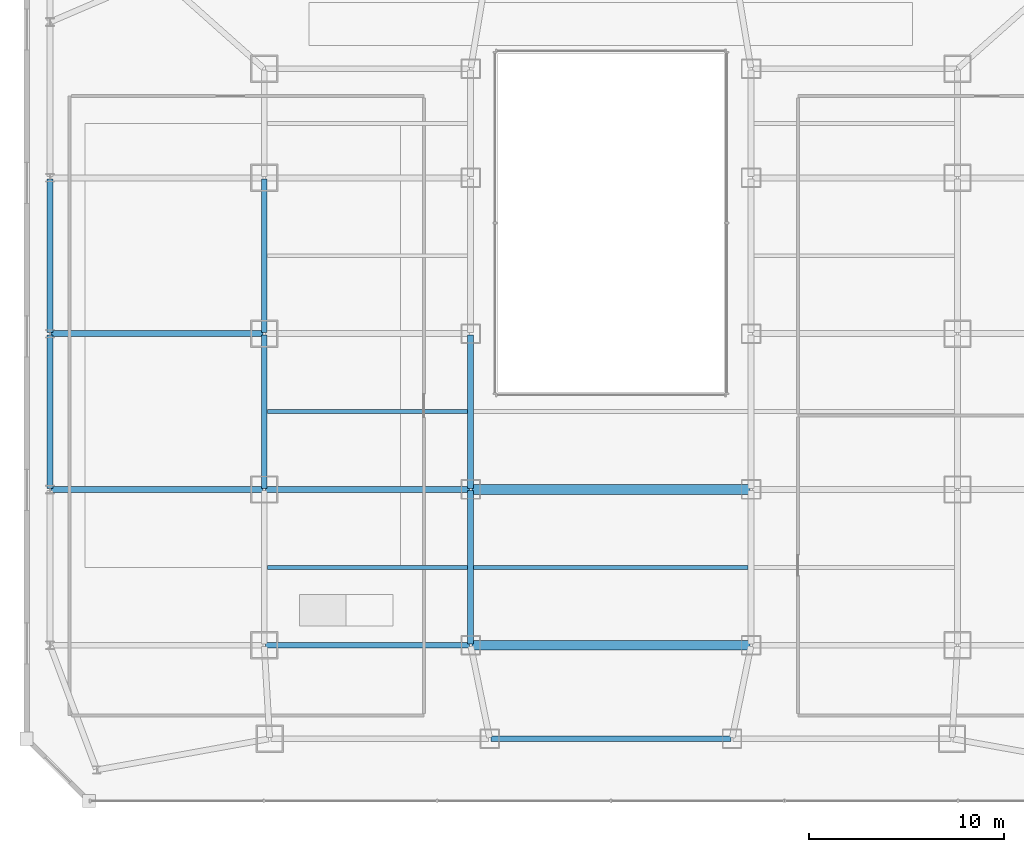
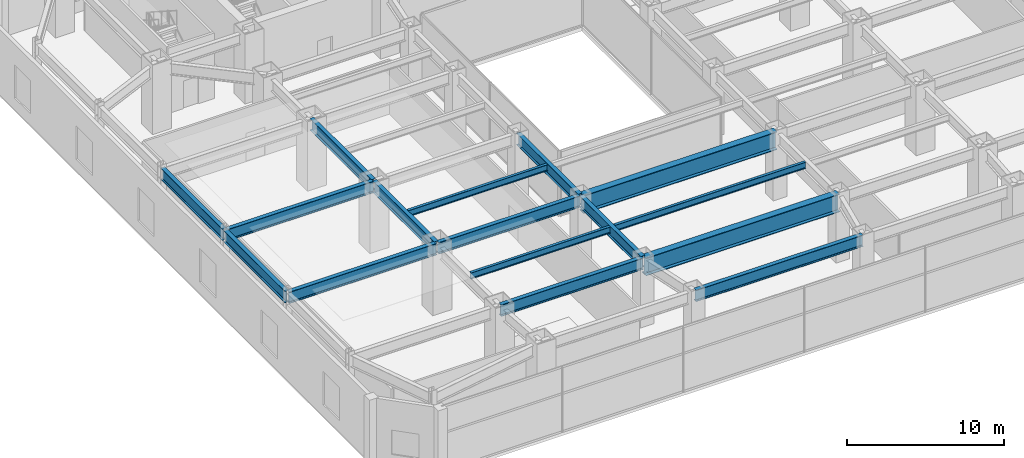
# One storey, part 11 of 51: 16 beams.
"""IFC4 building model written with IfcOpenShell, lengths in metres."""

from ifc_helpers import new_model, si_unit, direction, frame, origin, origin_2d, place, context, subcontext, project, spatial, i_section, extrude, material, material_profile, profile_set, type_object, element, save


model = new_model("IFC4")

# Units and contexts
model_context = context("Model", 3, precision=1e-05, world=origin(), true_north=direction((0.0, 1.0)))
body_context = subcontext(model_context, "Body", "Model", "MODEL_VIEW")
ifc_project = project(units=[si_unit("LENGTHUNIT", "METRE"), si_unit("AREAUNIT", "SQUARE_METRE"), si_unit("VOLUMEUNIT", "CUBIC_METRE"), si_unit("PLANEANGLEUNIT", "RADIAN"), si_unit("MASSUNIT", "GRAM", prefix="KILO")], contexts=[model_context])

# Site, building, storey
site_placement = place(None, origin())
site = spatial("IfcSite", under=ifc_project, at=site_placement, CompositionType="ELEMENT")
building_placement = place(site_placement, origin())
building = spatial("IfcBuilding", under=site, at=building_placement, Name="Saevonmaru Cultural Tower", CompositionType="ELEMENT")
storey_placement = place(building_placement, frame((0.0, 0.0, 6.0)))
storey = spatial("IfcBuildingStorey", under=building, at=storey_placement, Name="L01", CompositionType="ELEMENT", Elevation=6.0)

# Beams
ifc_material_1 = material(Name="Steel SM420", Category="steel")
ifc_material_profile_1 = material_profile(ifc_material_1, i_section(OverallWidth=0.300048828125, OverallDepth=0.89990234375, WebThickness=0.01611328125, FlangeThickness=0.028076171875, FilletRadius=0.028076171875, at=origin_2d()), Name="H-900x300x16x28")
ifc_profile_set_1 = profile_set([ifc_material_profile_1], Name="Steel SM420")
beam_type_1 = type_object("IfcBeamType", Name="BM-G-H900", PredefinedType="BEAM", material=ifc_profile_set_1)
for number, where, z_axis, x_axis, name in (
    (1, (12.199951171875, 16.06005859375, 4.64990234375), (0.0, 1.0, 0.0), (-1.0, 0.0, 0.0), "L01 Podium Girder NS1-3"),
    (2, (12.199951171875, 24.06005859375, 4.64990234375), (0.0, 1.0, 0.0), (-1.0, 0.0, 0.0), "L01 Podium Girder NS1-4"),
    (3, (22.800048828125, 8.06005859375, 4.64990234375), (0.0, 1.0, 0.0), (-1.0, 0.0, 0.0), "L01 Podium Girder NS2-2"),
    (4, (22.800048828125, 16.06005859375, 4.64990234375), (0.0, 1.0, 0.0), (-1.0, 0.0, 0.0), "L01 Podium Girder NS2-3"),
):
    element("IfcBeam", number, at=place(storey_placement, frame(where, z_axis=z_axis, x_axis=x_axis)), inside=storey, type_object=beam_type_1, Name=name, PredefinedType="BEAM", context=body_context, shape_type="SweptSolid", body=[
        extrude(i_section(OverallWidth=0.300048828125, OverallDepth=0.89990234375, WebThickness=0.01611328125, FlangeThickness=0.028076171875, FilletRadius=0.028076171875, at=origin_2d()), origin(), (0.0, 0.0, 1.0), 7.8798828125),
    ])
beam_1_placement = place(storey_placement, frame((23.840087890625, 3.199951171875, 4.64990234375), z_axis=(1.0, 0.0, 0.0), x_axis=(0.0, 1.0, 0.0)))
element("IfcBeam", 5, at=beam_1_placement, inside=storey, type_object=beam_type_1, Name="BM-POD-EW-C-0-L01", PredefinedType="BEAM", context=body_context, shape_type="SweptSolid", body=[
    extrude(i_section(OverallWidth=0.300048828125, OverallDepth=0.89990234375, WebThickness=0.01611328125, FlangeThickness=0.028076171875, FilletRadius=0.028076171875, at=origin_2d()), origin(), (0.0, 0.0, 1.0), 12.31982421875),
])
for number, where, z_axis, x_axis, name in (
    (6, (12.260009765625, 8.0, 4.64990234375), (1.0, 0.0, 0.0), (0.0, 1.0, 0.0), "L01 Gallery Girder W-1"),
    (7, (12.260009765625, 16.0, 4.64990234375), (1.0, 0.0, 0.0), (0.0, 1.0, 0.0), "L01 Gallery Girder W-2"),
):
    element("IfcBeam", number, at=place(storey_placement, frame(where, z_axis=z_axis, x_axis=x_axis)), inside=storey, type_object=beam_type_1, Name=name, PredefinedType="BEAM", context=body_context, shape_type="SweptSolid", body=[
        extrude(i_section(OverallWidth=0.300048828125, OverallDepth=0.89990234375, WebThickness=0.01611328125, FlangeThickness=0.028076171875, FilletRadius=0.028076171875, at=origin_2d()), origin(), (0.0, 0.0, 1.0), 10.47998046875),
    ])
for number, where, z_axis, x_axis, name in (
    (8, (1.260009765625, 16.0, 4.64990234375), (1.0, 0.0, 0.0), (0.0, 1.0, 0.0), "BM-POD-OW-2-L01"),
    (9, (1.260009765625, 24.0, 4.64990234375), (1.0, 0.0, 0.0), (0.0, 1.0, 0.0), "BM-POD-OW-3-L01"),
):
    element("IfcBeam", number, at=place(storey_placement, frame(where, z_axis=z_axis, x_axis=x_axis)), inside=storey, type_object=beam_type_1, Name=name, PredefinedType="BEAM", context=body_context, shape_type="SweptSolid", body=[
        extrude(i_section(OverallWidth=0.300048828125, OverallDepth=0.89990234375, WebThickness=0.01611328125, FlangeThickness=0.028076171875, FilletRadius=0.028076171875, at=origin_2d()), origin(), (0.0, 0.0, 1.0), 10.8798828125),
    ])
for number, where, z_axis, x_axis, name in (
    (10, (1.199951171875, 16.06005859375, 4.64990234375), (0.0, 1.0, 0.0), (-1.0, 0.0, 0.0), "BM-POD-PW-2-L01"),
    (11, (1.199951171875, 24.06005859375, 4.64990234375), (0.0, 1.0, 0.0), (-1.0, 0.0, 0.0), "BM-POD-PW-3-L01"),
):
    element("IfcBeam", number, at=place(storey_placement, frame(where, z_axis=z_axis, x_axis=x_axis)), inside=storey, type_object=beam_type_1, Name=name, PredefinedType="BEAM", context=body_context, shape_type="SweptSolid", body=[
        extrude(i_section(OverallWidth=0.300048828125, OverallDepth=0.89990234375, WebThickness=0.01611328125, FlangeThickness=0.028076171875, FilletRadius=0.028076171875, at=origin_2d()), origin(), (0.0, 0.0, 1.0), 7.8798828125),
    ])
ifc_material_2 = material(Name="Steel SM355", Category="steel")
ifc_material_profile_2 = material_profile(ifc_material_2, i_section(OverallWidth=0.199951171875, OverallDepth=0.5, WebThickness=0.010009765625, FlangeThickness=0.01611328125, FilletRadius=0.02001953125, at=origin_2d()), Name="H-500x200x10x16")
ifc_profile_set_2 = profile_set([ifc_material_profile_2], Name="Steel SM355")
beam_type_2 = type_object("IfcBeamType", Name="BM-J-H500", PredefinedType="JOIST", material=ifc_profile_set_2)
beam_2_placement = place(storey_placement, frame((12.35791015625, 12.0, 4.85009765625), z_axis=(1.0, 0.0, 0.0), x_axis=(0.0, 1.0, 0.0)))
element("IfcBeam", 12, at=beam_2_placement, inside=storey, type_object=beam_type_2, Name="L01 Secondary Floor Joist JW-1", PredefinedType="JOIST", context=body_context, shape_type="SweptSolid", body=[
    extrude(i_section(OverallWidth=0.199951171875, OverallDepth=0.5, WebThickness=0.010009765625, FlangeThickness=0.01611328125, FilletRadius=0.02001953125, at=origin_2d()), origin(), (0.0, 0.0, 1.0), 10.2841796875),
])
beam_3_placement = place(storey_placement, frame((22.9580078125, 12.0, 4.85009765625), z_axis=(1.0, 0.0, 0.0), x_axis=(0.0, 1.0, 0.0)))
element("IfcBeam", 13, at=beam_3_placement, inside=storey, type_object=beam_type_2, Name="L01 Secondary Floor Joist JC-1", PredefinedType="JOIST", context=body_context, shape_type="SweptSolid", body=[
    extrude(i_section(OverallWidth=0.199951171875, OverallDepth=0.5, WebThickness=0.010009765625, FlangeThickness=0.01611328125, FilletRadius=0.02001953125, at=origin_2d()), origin(), (0.0, 0.0, 1.0), 14.083984375),
])
beam_4_placement = place(storey_placement, frame((12.35791015625, 20.0, 4.85009765625), z_axis=(1.0, 0.0, 0.0), x_axis=(0.0, 1.0, 0.0)))
element("IfcBeam", 14, at=beam_4_placement, inside=storey, type_object=beam_type_2, Name="L01 Secondary Floor Joist JW-2", PredefinedType="JOIST", context=body_context, shape_type="SweptSolid", body=[
    extrude(i_section(OverallWidth=0.199951171875, OverallDepth=0.5, WebThickness=0.010009765625, FlangeThickness=0.01611328125, FilletRadius=0.02001953125, at=origin_2d()), origin(), (0.0, 0.0, 1.0), 10.2841796875),
])
ifc_material_3 = material(Name="Steel HSA600 (600 MPa)", Category="steel")
ifc_material_profile_3 = material_profile(ifc_material_3, i_section(OverallWidth=0.5, OverallDepth=1.39990234375, WebThickness=0.02392578125, FlangeThickness=0.044921875, at=origin_2d()), Name="PG-1400x500x24x45")
ifc_profile_set_3 = profile_set([ifc_material_profile_3], Name="Steel HSA600 (600 MPa)")
beam_type_3 = type_object("IfcBeamType", Name="BM-TG-PG1400", PredefinedType="BEAM", material=ifc_profile_set_3)
for number, where, z_axis, x_axis, name in (
    (15, (22.860107421875, 8.0, 4.39990234375), (1.0, 0.0, 0.0), (0.0, 1.0, 0.0), "L01 Long-Span Hall Girder C-1"),
    (16, (22.860107421875, 16.0, 4.39990234375), (1.0, 0.0, 0.0), (0.0, 1.0, 0.0), "L01 Long-Span Hall Girder C-2"),
):
    element("IfcBeam", number, at=place(storey_placement, frame(where, z_axis=z_axis, x_axis=x_axis)), inside=storey, type_object=beam_type_3, Name=name, PredefinedType="BEAM", context=body_context, shape_type="SweptSolid", body=[
        extrude(i_section(OverallWidth=0.5, OverallDepth=1.39990234375, WebThickness=0.02392578125, FlangeThickness=0.044921875, at=origin_2d()), origin(), (0.0, 0.0, 1.0), 14.27978515625),
    ])

save(model, "model.ifc")
